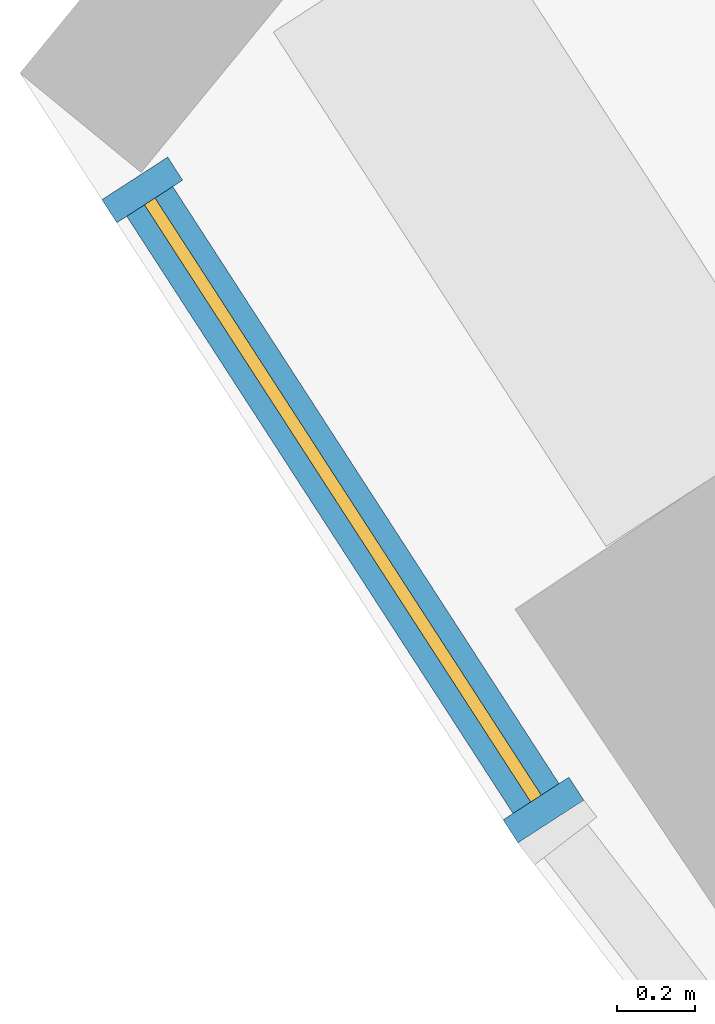
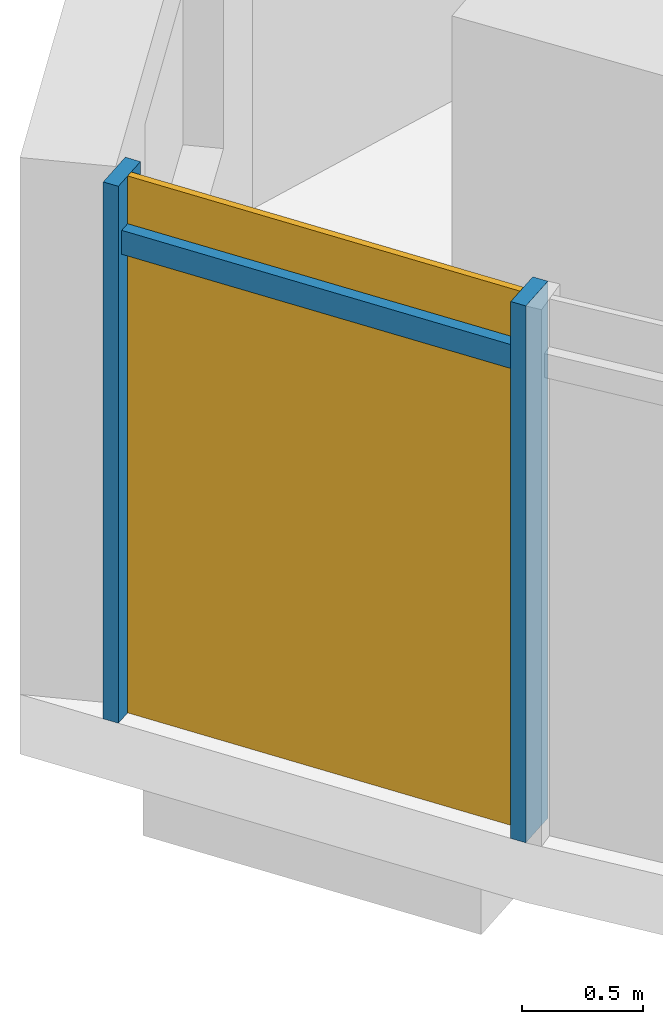
# One storey, part 20 of 28: 3 members, 1 curtain wall.
"""IFC4 building model written with IfcOpenShell, lengths in metres."""

import ifcopenshell
import ifcopenshell.guid

model = None  # the IFC model being written
_history = None  # IfcOwnerHistory: only IFC2X3 demands one
_inside = {}  # id of a spatial element -> (the spatial element, [elements in it])
_under = {}  # id of a project, library or spatial element -> (it, [spatial elements below it])
_declared = {}  # id of a project -> (the project, [libraries it declares])
_typed = {}  # id of a type object -> (the type object, [elements of that type])
_made_of = {}  # id of a material, layer set ... -> (it, [elements and type objects made of it])


def new_model(schema):
    """Start an empty IFC model of exactly this schema.

    Asked for "IFC4X3", IfcOpenShell would pick the latest addendum, in which some entities
    have other attributes; the version numbers below select the first issue.
    IFC2X3 requires an IfcOwnerHistory on every rooted entity: one is made here for all.
    """
    global model, _history
    if schema == "IFC4X3":
        model = ifcopenshell.file(schema_version=(4, 3, 0, 0))
    else:
        model = ifcopenshell.file(schema=schema)
    _inside.clear()
    _under.clear()
    _declared.clear()
    _typed.clear()
    _made_of.clear()
    _history = None
    if model.schema == "IFC2X3":
        org = make("IfcOrganization", Name="unknown")
        user = make(
            "IfcPersonAndOrganization",
            ThePerson=make("IfcPerson", FamilyName="unknown"),
            TheOrganization=org,
        )
        app = make(
            "IfcApplication",
            ApplicationDeveloper=org,
            Version="unknown",
            ApplicationFullName="unknown",
            ApplicationIdentifier="unknown",
        )
        _history = make(
            "IfcOwnerHistory",
            OwningUser=user,
            OwningApplication=app,
            ChangeAction="ADDED",
            CreationDate=0,
        )
    return model


def make(cls, **values):
    """One entity of the class cls with the attributes given. An attribute that is None is left unset."""
    return model.create_entity(
        cls, **{name: value for name, value in values.items() if value is not None}
    )


def rooted(cls, **values):
    """An entity with a GlobalId (a new one), such as an element, a storey or a relation."""
    return make(cls, GlobalId=ifcopenshell.guid.new(), OwnerHistory=_history, **values)


def si_unit(unit_type, name, prefix=None):
    """IfcSIUnit, for example si_unit("LENGTHUNIT", "METRE", prefix="MILLI")."""
    return make("IfcSIUnit", UnitType=unit_type, Prefix=prefix, Name=name)


def assignment(units):
    """IfcUnitAssignment: the units of a project."""
    return None if units is None else make("IfcUnitAssignment", Units=units)


def point(xyz):
    """IfcCartesianPoint."""
    return None if xyz is None else make("IfcCartesianPoint", Coordinates=xyz)


def direction(xyz):
    """IfcDirection."""
    return None if xyz is None else make("IfcDirection", DirectionRatios=xyz)


def frame(location, z_axis=None, x_axis=None):
    """IfcAxis2Placement3D, a coordinate frame: its origin and axes. An axis left out is left unset."""
    return make(
        "IfcAxis2Placement3D",
        Location=point(location),
        Axis=direction(z_axis),
        RefDirection=direction(x_axis),
    )


def frame_2d(location, x_axis=None):
    """IfcAxis2Placement2D, a coordinate frame in the plane: its origin and x axis."""
    return make(
        "IfcAxis2Placement2D", Location=point(location), RefDirection=direction(x_axis)
    )


def origin():
    """The frame at (0, 0, 0) with its axes left unset."""
    return frame((0.0, 0.0, 0.0))


def origin_2d():
    """The frame at (0, 0) in the plane with its x axis left unset."""
    return frame_2d((0.0, 0.0))


def place(relative_to, where):
    """IfcLocalPlacement: puts the frame where relative to a parent placement (None: the world)."""
    return make(
        "IfcLocalPlacement", PlacementRelTo=relative_to, RelativePlacement=where
    )


def context(
    kind, dimensions, precision=None, world=None, true_north=None, identifier=None
):
    """IfcGeometricRepresentationContext, for example the 3D "Model" context."""
    return make(
        "IfcGeometricRepresentationContext",
        ContextIdentifier=identifier,
        ContextType=kind,
        CoordinateSpaceDimension=dimensions,
        Precision=precision,
        WorldCoordinateSystem=world,
        TrueNorth=true_north,
    )


def subcontext(parent, identifier, kind, view, scale=None):
    """IfcGeometricRepresentationSubContext, for example "Body" below "Model"."""
    return make(
        "IfcGeometricRepresentationSubContext",
        ContextIdentifier=identifier,
        ContextType=kind,
        ParentContext=parent,
        TargetScale=scale,
        TargetView=view,
    )


def project(units=None, contexts=None):
    """IfcProject with its units and contexts."""
    return rooted(
        "IfcProject",
        Name="project",
        RepresentationContexts=contexts,
        UnitsInContext=assignment(units),
    )


def spatial(cls, under=None, at=None, **own):
    """A site, building, storey or space (cls), placed at a placement, below another one or the project."""
    s = rooted(cls, ObjectPlacement=at, **own)
    if under is not None:
        _under.setdefault(under.id(), (under, []))[1].append(s)
    return s


def profile(cls, at=None, kind="AREA", **sizes):
    """A parametric profile (cls). Its sizes go by their IFC names, for example OverallWidth=200.0."""
    return make(cls, ProfileType=kind, Position=at, **sizes)


def rectangle(**sizes):
    """IfcRectangleProfileDef."""
    return profile("IfcRectangleProfileDef", **sizes)


def extrude(swept, where, along, depth):
    """IfcExtrudedAreaSolid: the profile swept, set in the frame where, extruded along a direction by depth."""
    return make(
        "IfcExtrudedAreaSolid",
        SweptArea=swept,
        Position=where,
        ExtrudedDirection=direction(along),
        Depth=depth,
    )


def shape(context_of_items, identifier, shape_type, items):
    """IfcShapeRepresentation: the items that make up one representation, for example the "Body"."""
    return make(
        "IfcShapeRepresentation",
        ContextOfItems=context_of_items,
        RepresentationIdentifier=identifier,
        RepresentationType=shape_type,
        Items=items,
    )


def material(Name=None, Category=None):
    """IfcMaterial."""
    return make("IfcMaterial", Name=Name, Category=Category)


def material_profile(
    of_material, cross_section, Name=None, Category=None, Priority=None
):
    """IfcMaterialProfile: a cross section and its material."""
    return make(
        "IfcMaterialProfile",
        Name=Name,
        Material=of_material,
        Profile=cross_section,
        Priority=Priority,
        Category=Category,
    )


def profile_set(profiles, Name=None, composite=None):
    """IfcMaterialProfileSet."""
    return make(
        "IfcMaterialProfileSet",
        Name=Name,
        MaterialProfiles=profiles,
        CompositeProfile=composite,
    )


def made_of(thing, what):
    """Note that an element or type object is made of a material, layer set ...; save() writes the relation."""
    if what is not None:
        _made_of.setdefault(what.id(), (what, []))[1].append(thing)
    return thing


def type_object(cls, material=None, **own):
    """A type object (cls), such as IfcWallType, which elements share."""
    return made_of(rooted(cls, **own), material)


def element(
    cls,
    number,
    at=None,
    inside=None,
    cuts=None,
    type_object=None,
    material=None,
    context=None,
    identifier="Body",
    shape_type=None,
    held_by="IfcProductDefinitionShape",
    body=None,
    shapes=None,
    **own,
):
    """One element of the class cls, such as IfcWall. Its Tag is "e" and its number.

    at: its placement. inside: the storey or other place that contains it. cuts: it is an
    opening in that element (IfcRelVoidsElement). A single representation is given by context,
    identifier, shape_type and body (its items); several are given by shapes. held_by: the class
    of the entity that holds the representations. save() writes the other relations.
    """
    e = rooted(cls, Tag="e%d" % number, ObjectPlacement=at, **own)
    if body is not None:
        shapes = [shape(context, identifier, shape_type, body)]
    if shapes is not None:
        e.Representation = make(held_by, Representations=shapes)
    if inside is not None:
        _inside.setdefault(inside.id(), (inside, []))[1].append(e)
    if cuts is not None:
        rooted(
            "IfcRelVoidsElement", RelatingBuildingElement=cuts, RelatedOpeningElement=e
        )
    if type_object is not None:
        _typed.setdefault(type_object.id(), (type_object, []))[1].append(e)
    return made_of(e, material)


def aggregate(whole, parts):
    """IfcRelAggregates: a whole, such as a stair, and the parts it consists of."""
    return rooted("IfcRelAggregates", RelatingObject=whole, RelatedObjects=parts)


def save(model, path):
    """Write the relations noted so far, then the file.

    IfcRelAggregates (storeys below a building ...), IfcRelContainedInSpatialStructure (elements
    in a storey), IfcRelDefinesByType, IfcRelAssociatesMaterial and IfcRelDeclares: one each for
    every whole, place, type object, material and project.
    """
    for whole, parts in _under.values():
        aggregate(whole, parts)
    for where, things in _inside.values():
        rooted(
            "IfcRelContainedInSpatialStructure",
            RelatedElements=things,
            RelatingStructure=where,
        )
    for kind, things in _typed.values():
        rooted("IfcRelDefinesByType", RelatedObjects=things, RelatingType=kind)
    for what, things in _made_of.values():
        rooted("IfcRelAssociatesMaterial", RelatedObjects=things, RelatingMaterial=what)
    for by, libraries in _declared.values():
        rooted("IfcRelDeclares", RelatingContext=by, RelatedDefinitions=libraries)
    model.write(path)


model = new_model("IFC4")

# Units and contexts
model_context = context("Model", 3, precision=1e-05, world=origin(), true_north=direction((0.0, 1.0)))
body_context = subcontext(model_context, "Body", "Model", "MODEL_VIEW")
ifc_project = project(units=[si_unit("LENGTHUNIT", "METRE"), si_unit("AREAUNIT", "SQUARE_METRE"), si_unit("VOLUMEUNIT", "CUBIC_METRE"), si_unit("PLANEANGLEUNIT", "RADIAN"), si_unit("MASSUNIT", "GRAM", prefix="KILO")], contexts=[model_context])

# Member
ifc_material = material(Name="Aluminium 6063-T6 anodised", Category="aluminium")
ifc_material_profile_1 = material_profile(ifc_material, rectangle(XDim=0.199951171875, YDim=0.070068359375, at=origin_2d()))
ifc_profile_set_1 = profile_set([ifc_material_profile_1], Name="Aluminium 6063-T6 anodised")
member_type_1 = type_object("IfcMemberType", Name="Mullion 70 x 200 aluminium", PredefinedType="MULLION", material=ifc_profile_set_1)
site_placement = place(None, origin())
building_placement = place(site_placement, origin())
storey_placement = place(building_placement, frame((0.0, 0.0, 218.89990234375)))
member_1_placement = place(storey_placement, frame((-66.3544921875, -42.0283203125, 0.0), z_axis=(0.0, 0.0, 1.0), x_axis=(0.839646175777, 0.543133776802, 0.0)))
member_1 = element("IfcMember", 1, at=member_1_placement, type_object=member_type_1, Name="e-cw1-L52-out00/M00", PredefinedType="MULLION", context=body_context, shape_type="SweptSolid", body=[
    extrude(rectangle(XDim=0.199951171875, YDim=0.070068359375, at=origin_2d()), origin(), (0.0, 0.0, 1.0), 2.7001953125),
])

member_2_placement = place(storey_placement, frame((-65.330078125, -43.61181640625, 0.0), z_axis=(0.0, 0.0, 1.0), x_axis=(0.839646175777, 0.543133776802, 0.0)))
member_2 = element("IfcMember", 2, at=member_2_placement, type_object=member_type_1, Name="e-cw1-L52-out00/M01", PredefinedType="MULLION", context=body_context, shape_type="SweptSolid", body=[
    extrude(rectangle(XDim=0.199951171875, YDim=0.070068359375, at=origin_2d()), origin(), (0.0, 0.0, 1.0), 2.7001953125),
])

ifc_material_profile_2 = material_profile(ifc_material, rectangle(XDim=0.139892578125, YDim=0.1201171875, at=origin_2d()))
ifc_profile_set_2 = profile_set([ifc_material_profile_2], Name="Aluminium 6063-T6 anodised")
member_type_2 = type_object("IfcMemberType", Name="Transom 120 x 140 aluminium", PredefinedType="USERDEFINED", material=ifc_profile_set_2)
member_3_placement = place(storey_placement, frame((-66.33544921875, -42.0576171875, 2.400146484375), z_axis=(0.543106345526, -0.839663919345, 0.0), x_axis=(0.839663919345, 0.543106345526, 0.0)))
member_3 = element("IfcMember", 3, at=member_3_placement, type_object=member_type_2, Name="e-cw1-L52-out00/T00", ObjectType="TRANSOM", PredefinedType="USERDEFINED", context=body_context, shape_type="SweptSolid", body=[
    extrude(rectangle(XDim=0.139892578125, YDim=0.1201171875, at=origin_2d()), origin(), (0.0, 0.0, 1.0), 1.816162109375),
])

# Site, building, storey
site = spatial("IfcSite", under=ifc_project, at=site_placement, CompositionType="ELEMENT")
building = spatial("IfcBuilding", under=site, at=building_placement, Name="Qamariyya Broadcast Tower", CompositionType="ELEMENT")
storey = spatial("IfcBuildingStorey", under=building, at=storey_placement, Name="L52", CompositionType="ELEMENT", Elevation=218.89990234375)

# Curtain wall
curtain_wall_type = type_object("IfcCurtainWallType", Name="Unitised curtain wall, anodised aluminium", PredefinedType="NOTDEFINED", material=ifc_material)
curtain_wall_placement = place(storey_placement, origin())
curtain_wall = element("IfcCurtainWall", 4, at=curtain_wall_placement, inside=storey, type_object=curtain_wall_type, Name="e-cw1-L52-out00", PredefinedType="NOTDEFINED", context=body_context, shape_type="SweptSolid", body=[
    extrude(rectangle(XDim=1.816162109375, YDim=0.031982421875, at=origin_2d()), frame((-65.84228515625, -42.820068359375, 0.0), x_axis=(0.54312708157, -0.839650506619, 0.0)), (0.0, 0.0, 1.0), 2.340087890625),
    extrude(rectangle(XDim=1.816162109375, YDim=0.031982421875, at=origin_2d()), frame((-65.84228515625, -42.820068359375, 2.460205078125), x_axis=(0.54312708157, -0.839650506619, 0.0)), (0.0, 0.0, 1.0), 0.239990234375),
])

aggregate(curtain_wall, [member_1, member_2, member_3])

save(model, "model.ifc")
